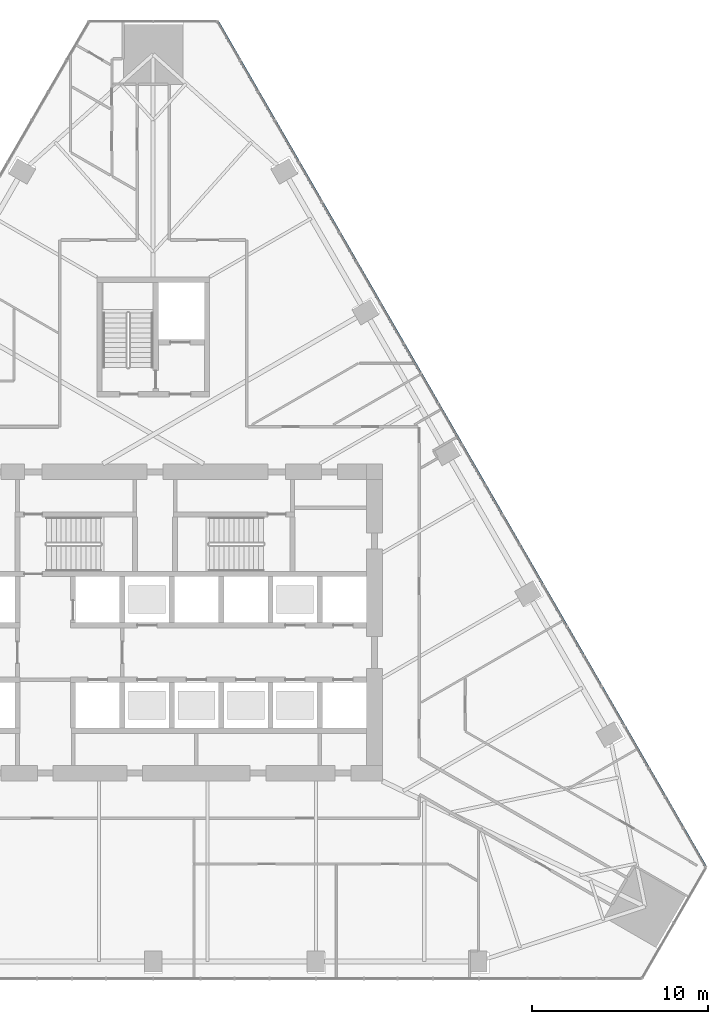
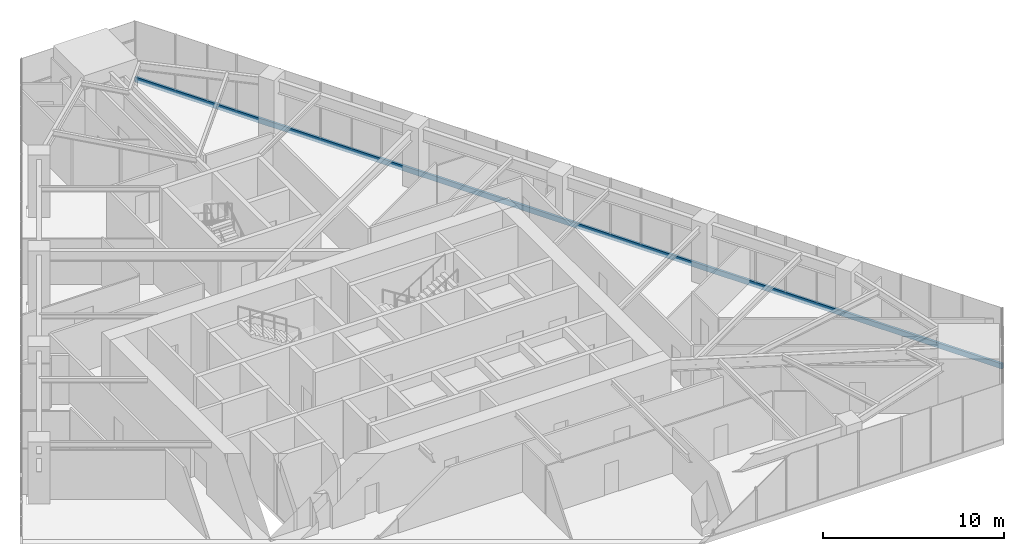
# One storey, part 8 of 19: 1 member, 1 element without a shape of its own.
"""IFC4 building model written with IfcOpenShell, lengths in metres."""

from ifc_helpers import new_model, si_unit, direction, frame, origin, origin_2d, place, context, subcontext, project, spatial, rectangle, extrude, material, layer, layer_set, material_profile, profile_set, type_object, element, aggregate, save


model = new_model("IFC4")

# Units and contexts
model_context = context("Model", 3, precision=1e-05, world=origin(), true_north=direction((0.0, 1.0)))
body_context = subcontext(model_context, "Body", "Model", "MODEL_VIEW")
ifc_project = project(units=[si_unit("LENGTHUNIT", "METRE"), si_unit("AREAUNIT", "SQUARE_METRE"), si_unit("VOLUMEUNIT", "CUBIC_METRE"), si_unit("PLANEANGLEUNIT", "RADIAN"), si_unit("MASSUNIT", "GRAM", prefix="KILO")], contexts=[model_context])

# Site, building, storey
site_placement = place(None, origin())
site = spatial("IfcSite", under=ifc_project, at=site_placement, CompositionType="ELEMENT")
building_placement = place(site_placement, origin())
building = spatial("IfcBuilding", under=site, at=building_placement, Name="Firuza Gate Tower and Library", CompositionType="ELEMENT")
storey_placement = place(building_placement, frame((0.0, 0.0, 136.60009765625)))
storey = spatial("IfcBuildingStorey", under=building, at=storey_placement, Name="L31", CompositionType="ELEMENT", Elevation=136.60009765625)

# Curtain wall, member
ifc_material_1 = material(Name="Aluminium 6063-T6", Category="aluminium")
ifc_layer = layer(ifc_material_1, 0.14990234375)
ifc_layer_set = layer_set([ifc_layer], Name="Unitised curtain wall, offices")
curtain_wall_type = type_object("IfcCurtainWallType", Name="Unitised curtain wall, offices", PredefinedType="NOTDEFINED", material=ifc_layer_set)
curtain_wall_placement = place(storey_placement, origin())
curtain_wall = element("IfcCurtainWall", 1, at=curtain_wall_placement, inside=storey, type_object=curtain_wall_type, Name="CW1 L31 E face", PredefinedType="NOTDEFINED")
ifc_material_2 = material(Name="Aluminium 6063-T6", Category="aluminium")
ifc_material_profile = material_profile(ifc_material_2, rectangle(XDim=0.14990234375, YDim=0.35009765625, at=origin_2d()))
ifc_profile_set = profile_set([ifc_material_profile], Name="Aluminium 6063-T6")
member_type = type_object("IfcMemberType", Name="Curtain wall transom 350x150", PredefinedType="USERDEFINED", material=ifc_profile_set)
member_placement = place(storey_placement, frame((106.35595703125, 61.103515625, -0.025146484375), z_axis=(-0.499999655184, 0.866025602864, 0.0), x_axis=(-0.866025602864, -0.499999655184, 0.0)))
member = element("IfcMember", 2, at=member_placement, type_object=member_type, Name="Transom", ObjectType="TRANSOM", PredefinedType="USERDEFINED", context=body_context, shape_type="SweptSolid", body=[
    extrude(rectangle(XDim=0.14990234375, YDim=0.35009765625, at=origin_2d()), origin(), (0.0, 0.0, 1.0), 55.42529296875),
])
aggregate(curtain_wall, [member])

save(model, "model.ifc")
